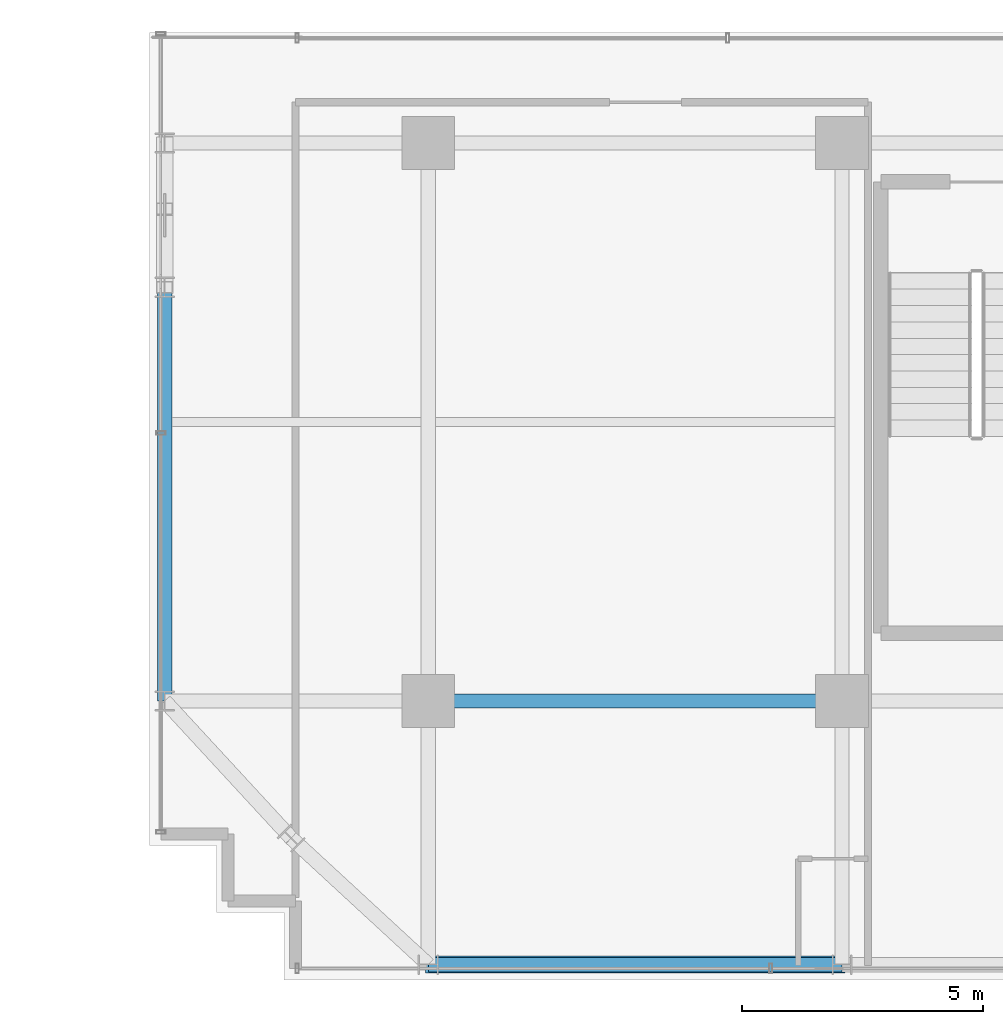
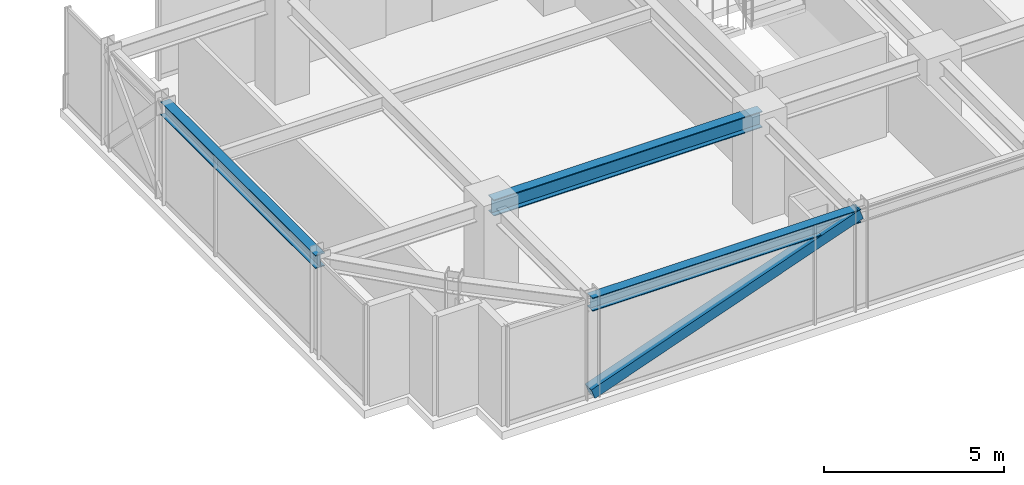
# One storey, part 3 of 37: 3 beams, 1 member.
"""IFC4 building model written with IfcOpenShell, lengths in metres."""

import ifcopenshell
import ifcopenshell.guid

model = None  # the IFC model being written
_history = None  # IfcOwnerHistory: only IFC2X3 demands one
_inside = {}  # id of a spatial element -> (the spatial element, [elements in it])
_under = {}  # id of a project, library or spatial element -> (it, [spatial elements below it])
_declared = {}  # id of a project -> (the project, [libraries it declares])
_typed = {}  # id of a type object -> (the type object, [elements of that type])
_made_of = {}  # id of a material, layer set ... -> (it, [elements and type objects made of it])


def new_model(schema):
    """Start an empty IFC model of exactly this schema.

    Asked for "IFC4X3", IfcOpenShell would pick the latest addendum, in which some entities
    have other attributes; the version numbers below select the first issue.
    IFC2X3 requires an IfcOwnerHistory on every rooted entity: one is made here for all.
    """
    global model, _history
    if schema == "IFC4X3":
        model = ifcopenshell.file(schema_version=(4, 3, 0, 0))
    else:
        model = ifcopenshell.file(schema=schema)
    _inside.clear()
    _under.clear()
    _declared.clear()
    _typed.clear()
    _made_of.clear()
    _history = None
    if model.schema == "IFC2X3":
        org = make("IfcOrganization", Name="unknown")
        user = make(
            "IfcPersonAndOrganization",
            ThePerson=make("IfcPerson", FamilyName="unknown"),
            TheOrganization=org,
        )
        app = make(
            "IfcApplication",
            ApplicationDeveloper=org,
            Version="unknown",
            ApplicationFullName="unknown",
            ApplicationIdentifier="unknown",
        )
        _history = make(
            "IfcOwnerHistory",
            OwningUser=user,
            OwningApplication=app,
            ChangeAction="ADDED",
            CreationDate=0,
        )
    return model


def make(cls, **values):
    """One entity of the class cls with the attributes given. An attribute that is None is left unset."""
    return model.create_entity(
        cls, **{name: value for name, value in values.items() if value is not None}
    )


def rooted(cls, **values):
    """An entity with a GlobalId (a new one), such as an element, a storey or a relation."""
    return make(cls, GlobalId=ifcopenshell.guid.new(), OwnerHistory=_history, **values)


def si_unit(unit_type, name, prefix=None):
    """IfcSIUnit, for example si_unit("LENGTHUNIT", "METRE", prefix="MILLI")."""
    return make("IfcSIUnit", UnitType=unit_type, Prefix=prefix, Name=name)


def assignment(units):
    """IfcUnitAssignment: the units of a project."""
    return None if units is None else make("IfcUnitAssignment", Units=units)


def point(xyz):
    """IfcCartesianPoint."""
    return None if xyz is None else make("IfcCartesianPoint", Coordinates=xyz)


def direction(xyz):
    """IfcDirection."""
    return None if xyz is None else make("IfcDirection", DirectionRatios=xyz)


def frame(location, z_axis=None, x_axis=None):
    """IfcAxis2Placement3D, a coordinate frame: its origin and axes. An axis left out is left unset."""
    return make(
        "IfcAxis2Placement3D",
        Location=point(location),
        Axis=direction(z_axis),
        RefDirection=direction(x_axis),
    )


def frame_2d(location, x_axis=None):
    """IfcAxis2Placement2D, a coordinate frame in the plane: its origin and x axis."""
    return make(
        "IfcAxis2Placement2D", Location=point(location), RefDirection=direction(x_axis)
    )


def origin():
    """The frame at (0, 0, 0) with its axes left unset."""
    return frame((0.0, 0.0, 0.0))


def origin_2d():
    """The frame at (0, 0) in the plane with its x axis left unset."""
    return frame_2d((0.0, 0.0))


def place(relative_to, where):
    """IfcLocalPlacement: puts the frame where relative to a parent placement (None: the world)."""
    return make(
        "IfcLocalPlacement", PlacementRelTo=relative_to, RelativePlacement=where
    )


def context(
    kind, dimensions, precision=None, world=None, true_north=None, identifier=None
):
    """IfcGeometricRepresentationContext, for example the 3D "Model" context."""
    return make(
        "IfcGeometricRepresentationContext",
        ContextIdentifier=identifier,
        ContextType=kind,
        CoordinateSpaceDimension=dimensions,
        Precision=precision,
        WorldCoordinateSystem=world,
        TrueNorth=true_north,
    )


def subcontext(parent, identifier, kind, view, scale=None):
    """IfcGeometricRepresentationSubContext, for example "Body" below "Model"."""
    return make(
        "IfcGeometricRepresentationSubContext",
        ContextIdentifier=identifier,
        ContextType=kind,
        ParentContext=parent,
        TargetScale=scale,
        TargetView=view,
    )


def project(units=None, contexts=None):
    """IfcProject with its units and contexts."""
    return rooted(
        "IfcProject",
        Name="project",
        RepresentationContexts=contexts,
        UnitsInContext=assignment(units),
    )


def spatial(cls, under=None, at=None, **own):
    """A site, building, storey or space (cls), placed at a placement, below another one or the project."""
    s = rooted(cls, ObjectPlacement=at, **own)
    if under is not None:
        _under.setdefault(under.id(), (under, []))[1].append(s)
    return s


def profile(cls, at=None, kind="AREA", **sizes):
    """A parametric profile (cls). Its sizes go by their IFC names, for example OverallWidth=200.0."""
    return make(cls, ProfileType=kind, Position=at, **sizes)


def hollow_rectangle(**sizes):
    """IfcRectangleHollowProfileDef."""
    return profile("IfcRectangleHollowProfileDef", **sizes)


def i_section(**sizes):
    """IfcIShapeProfileDef."""
    return profile("IfcIShapeProfileDef", **sizes)


def extrude(swept, where, along, depth):
    """IfcExtrudedAreaSolid: the profile swept, set in the frame where, extruded along a direction by depth."""
    return make(
        "IfcExtrudedAreaSolid",
        SweptArea=swept,
        Position=where,
        ExtrudedDirection=direction(along),
        Depth=depth,
    )


def shape(context_of_items, identifier, shape_type, items):
    """IfcShapeRepresentation: the items that make up one representation, for example the "Body"."""
    return make(
        "IfcShapeRepresentation",
        ContextOfItems=context_of_items,
        RepresentationIdentifier=identifier,
        RepresentationType=shape_type,
        Items=items,
    )


def source(mapping_origin, context_of_items, identifier, shape_type, items):
    """IfcRepresentationMap: a shape defined once, which mapped items show again and again."""
    return make(
        "IfcRepresentationMap",
        MappingOrigin=mapping_origin,
        MappedRepresentation=shape(context_of_items, identifier, shape_type, items),
    )


def transform(
    local_origin,
    x_axis=None,
    y_axis=None,
    z_axis=None,
    scale=None,
    scale2=None,
    scale3=None,
    uniform=True,
):
    """IfcCartesianTransformationOperator3D, or its non-uniform kind. x_axis, y_axis, z_axis: its Axis1, 2, 3."""
    if uniform:
        return make(
            "IfcCartesianTransformationOperator3D",
            Axis1=direction(x_axis),
            Axis2=direction(y_axis),
            LocalOrigin=point(local_origin),
            Scale=scale,
            Axis3=direction(z_axis),
        )
    return make(
        "IfcCartesianTransformationOperator3DnonUniform",
        Axis1=direction(x_axis),
        Axis2=direction(y_axis),
        LocalOrigin=point(local_origin),
        Scale=scale,
        Axis3=direction(z_axis),
        Scale2=scale2,
        Scale3=scale3,
    )


def mapped(mapping_source, mapping_target):
    """IfcMappedItem: shows the shape of a source again, moved by a transform."""
    return make(
        "IfcMappedItem", MappingSource=mapping_source, MappingTarget=mapping_target
    )


def material(Name=None, Category=None):
    """IfcMaterial."""
    return make("IfcMaterial", Name=Name, Category=Category)


def material_profile(
    of_material, cross_section, Name=None, Category=None, Priority=None
):
    """IfcMaterialProfile: a cross section and its material."""
    return make(
        "IfcMaterialProfile",
        Name=Name,
        Material=of_material,
        Profile=cross_section,
        Priority=Priority,
        Category=Category,
    )


def profile_set(profiles, Name=None, composite=None):
    """IfcMaterialProfileSet."""
    return make(
        "IfcMaterialProfileSet",
        Name=Name,
        MaterialProfiles=profiles,
        CompositeProfile=composite,
    )


def made_of(thing, what):
    """Note that an element or type object is made of a material, layer set ...; save() writes the relation."""
    if what is not None:
        _made_of.setdefault(what.id(), (what, []))[1].append(thing)
    return thing


def type_object(cls, material=None, **own):
    """A type object (cls), such as IfcWallType, which elements share."""
    return made_of(rooted(cls, **own), material)


def element(
    cls,
    number,
    at=None,
    inside=None,
    cuts=None,
    type_object=None,
    material=None,
    context=None,
    identifier="Body",
    shape_type=None,
    held_by="IfcProductDefinitionShape",
    body=None,
    shapes=None,
    **own,
):
    """One element of the class cls, such as IfcWall. Its Tag is "e" and its number.

    at: its placement. inside: the storey or other place that contains it. cuts: it is an
    opening in that element (IfcRelVoidsElement). A single representation is given by context,
    identifier, shape_type and body (its items); several are given by shapes. held_by: the class
    of the entity that holds the representations. save() writes the other relations.
    """
    e = rooted(cls, Tag="e%d" % number, ObjectPlacement=at, **own)
    if body is not None:
        shapes = [shape(context, identifier, shape_type, body)]
    if shapes is not None:
        e.Representation = make(held_by, Representations=shapes)
    if inside is not None:
        _inside.setdefault(inside.id(), (inside, []))[1].append(e)
    if cuts is not None:
        rooted(
            "IfcRelVoidsElement", RelatingBuildingElement=cuts, RelatedOpeningElement=e
        )
    if type_object is not None:
        _typed.setdefault(type_object.id(), (type_object, []))[1].append(e)
    return made_of(e, material)


def aggregate(whole, parts):
    """IfcRelAggregates: a whole, such as a stair, and the parts it consists of."""
    return rooted("IfcRelAggregates", RelatingObject=whole, RelatedObjects=parts)


def save(model, path):
    """Write the relations noted so far, then the file.

    IfcRelAggregates (storeys below a building ...), IfcRelContainedInSpatialStructure (elements
    in a storey), IfcRelDefinesByType, IfcRelAssociatesMaterial and IfcRelDeclares: one each for
    every whole, place, type object, material and project.
    """
    for whole, parts in _under.values():
        aggregate(whole, parts)
    for where, things in _inside.values():
        rooted(
            "IfcRelContainedInSpatialStructure",
            RelatedElements=things,
            RelatingStructure=where,
        )
    for kind, things in _typed.values():
        rooted("IfcRelDefinesByType", RelatedObjects=things, RelatingType=kind)
    for what, things in _made_of.values():
        rooted("IfcRelAssociatesMaterial", RelatedObjects=things, RelatingMaterial=what)
    for by, libraries in _declared.values():
        rooted("IfcRelDeclares", RelatingContext=by, RelatedDefinitions=libraries)
    model.write(path)


model = new_model("IFC4")

# Units and contexts
model_context = context("Model", 3, precision=1e-05, world=origin(), true_north=direction((0.0, 1.0)))
body_context = subcontext(model_context, "Body", "Model", "MODEL_VIEW")
ifc_project = project(units=[si_unit("LENGTHUNIT", "METRE"), si_unit("AREAUNIT", "SQUARE_METRE"), si_unit("VOLUMEUNIT", "CUBIC_METRE"), si_unit("PLANEANGLEUNIT", "RADIAN"), si_unit("MASSUNIT", "GRAM", prefix="KILO")], contexts=[model_context])

# Site, building, storey
site_placement = place(None, origin())
site = spatial("IfcSite", under=ifc_project, at=site_placement, CompositionType="ELEMENT")
building_placement = place(site_placement, origin())
building = spatial("IfcBuilding", under=site, at=building_placement, Name="Nahalor Promenade Grand Hotel", CompositionType="ELEMENT")
storey_placement = place(building_placement, frame((0.0, 0.0, 167.25)))
storey = spatial("IfcBuildingStorey", under=building, at=storey_placement, Name="L42", CompositionType="ELEMENT", Elevation=167.25)

# Beams
ifc_material = material(Name="Steel S355JR", Category="steel")
ifc_material_profile_1 = material_profile(ifc_material, i_section(OverallWidth=0.3, OverallDepth=0.55, WebThickness=0.015, FlangeThickness=0.029, at=origin_2d()), Name="HEB 550")
ifc_profile_set_1 = profile_set([ifc_material_profile_1], Name="Steel S355JR")
beam_type_1 = type_object("IfcBeamType", Name="Beam-Girder-HEB550", PredefinedType="BEAM", material=ifc_profile_set_1)
shared_shape_1 = source(origin(), body_context, "Body", "SweptSolid", [
    extrude(i_section(OverallWidth=0.3, OverallDepth=0.55, WebThickness=0.015, FlangeThickness=0.029, at=origin_2d()), origin(), (0.0, 0.0, 1.0), 8.60009765625),
])
beam_placement = place(storey_placement, frame((-17.0, -17.0, 3.114990234375), z_axis=(1.0, 0.0, 0.0), x_axis=(0.0, 1.0, 0.0)))
element("IfcBeam", 1, at=beam_placement, inside=storey, type_object=beam_type_1, Name="BM-L42-GX-0-1", PredefinedType="BEAM", context=body_context, shape_type="MappedRepresentation", body=[
    mapped(shared_shape_1, transform((0.0, 0.0, 0.0), scale=1.0)),
])
ifc_material_profile_2 = material_profile(ifc_material, i_section(OverallWidth=0.3, OverallDepth=0.45, WebThickness=0.014, FlangeThickness=0.026, at=origin_2d()), Name="HEB 450")
ifc_profile_set_2 = profile_set([ifc_material_profile_2], Name="Steel S355JR")
beam_type_2 = type_object("IfcBeamType", Name="Beam-Spandrel-HEB450", PredefinedType="SPANDREL", material=ifc_profile_set_2)
shared_shape_2 = source(origin(), body_context, "Body", "SweptSolid", [
    extrude(i_section(OverallWidth=0.3, OverallDepth=0.45, WebThickness=0.014, FlangeThickness=0.026, at=origin_2d()), origin(), (0.0, 0.0, 1.0), 8.60009765625),
])
for number, where, z_axis, x_axis, name in (
    (2, (-17.0, -22.47998046875, 3.1650390625), (1.0, 0.0, 0.0), (0.0, 1.0, 0.0), "BM-L42-SP-S-0"),
    (3, (-22.47998046875, -17.0, 3.1650390625), (0.0, 1.0, 0.0), (-1.0, 0.0, 0.0), "BM-L42-SP-W-0"),
):
    element("IfcBeam", number, at=place(storey_placement, frame(where, z_axis=z_axis, x_axis=x_axis)), inside=storey, type_object=beam_type_2, Name=name, PredefinedType="SPANDREL", context=body_context, shape_type="MappedRepresentation", body=[
        mapped(shared_shape_2, transform((0.0, 0.0, 0.0), scale=1.0)),
    ])

# Member
ifc_material_profile_3 = material_profile(ifc_material, hollow_rectangle(XDim=0.35, YDim=0.35, WallThickness=0.02, at=origin_2d()), Name="SHS 350x350x20")
ifc_profile_set_3 = profile_set([ifc_material_profile_3], Name="Steel S355JR")
member_type = type_object("IfcMemberType", Name="Mem-VoidBrace-SHS350", PredefinedType="BRACE", material=ifc_profile_set_3)
shared_shape_3 = source(origin(), body_context, "Body", "SweptSolid", [
    extrude(hollow_rectangle(XDim=0.35, YDim=0.35, WallThickness=0.02, at=origin_2d()), origin(), (0.0, 0.0, 1.0), 9.138427734375),
])
member_placement = place(storey_placement, frame((-17.0, -22.47998046875, 0.14990234375), z_axis=(0.941094643271, 0.0, 0.338143272012), x_axis=(0.0, 1.0, 0.0)))
element("IfcMember", 4, at=member_placement, inside=storey, type_object=member_type, Name="EXO-L42-S-0", PredefinedType="BRACE", context=body_context, shape_type="MappedRepresentation", body=[
    mapped(shared_shape_3, transform((0.0, 0.0, 0.0), scale=1.0)),
])

save(model, "model.ifc")
